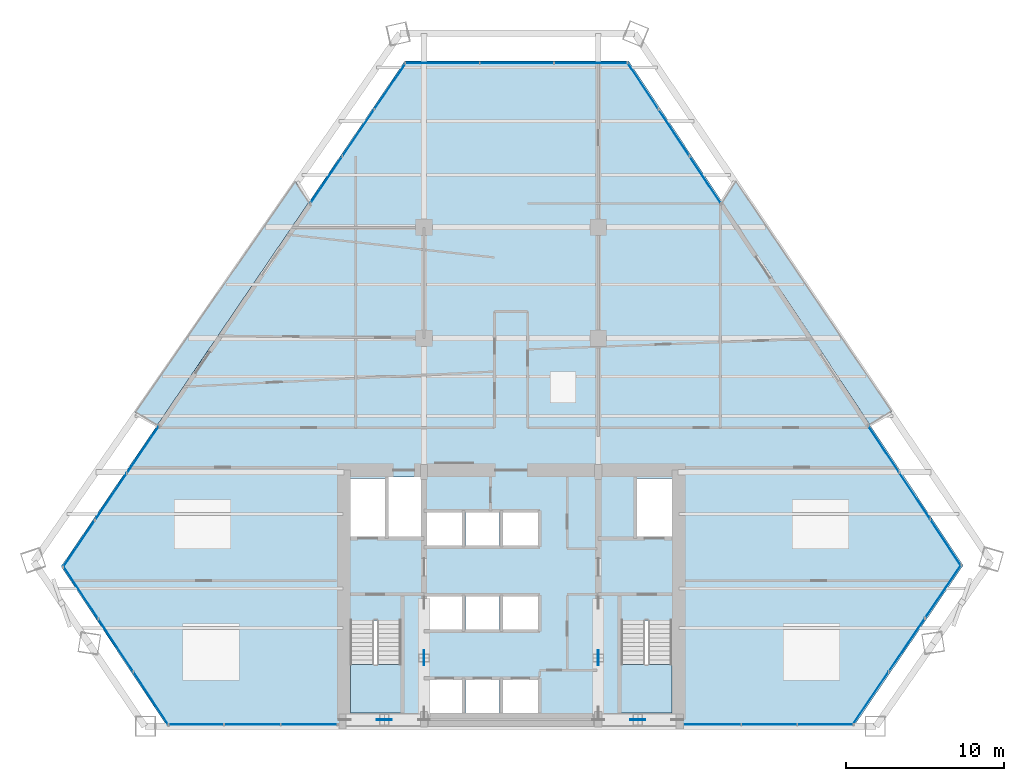
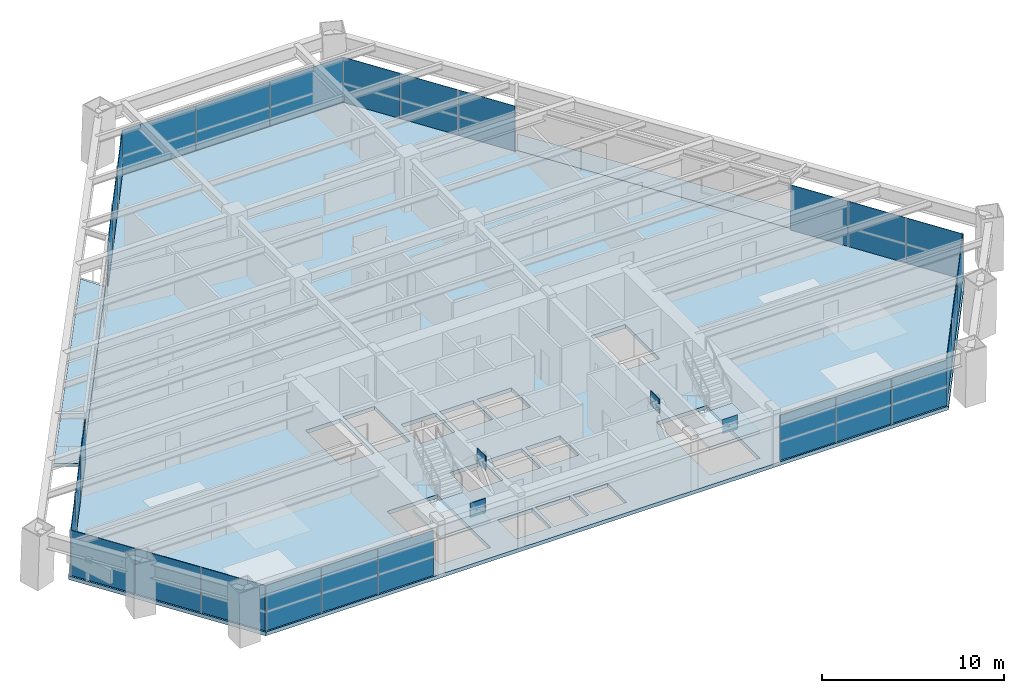
# One storey, part 9 of 14: 31 plates, 5 slabs, 11 elements without a shape of their own.
"""IFC4 building model written with IfcOpenShell, lengths in metres."""

from ifc_helpers import new_model, si_unit, direction, frame, origin, origin_2d, place, context, subcontext, project, spatial, polyline, rectangle, outline, extrude, source, transform, mapped, material, layer, layer_set, type_object, element, aggregate, save


model = new_model("IFC4")

# Units and contexts
model_context = context("Model", 3, precision=1e-05, world=origin(), true_north=direction((0.0, 1.0)))
body_context = subcontext(model_context, "Body", "Model", "MODEL_VIEW")
ifc_project = project(units=[si_unit("LENGTHUNIT", "METRE"), si_unit("AREAUNIT", "SQUARE_METRE"), si_unit("VOLUMEUNIT", "CUBIC_METRE"), si_unit("PLANEANGLEUNIT", "RADIAN"), si_unit("MASSUNIT", "GRAM", prefix="KILO")], contexts=[model_context])

# Site, building, storey
site_placement = place(None, origin())
site = spatial("IfcSite", under=ifc_project, at=site_placement, CompositionType="ELEMENT")
building_placement = place(site_placement, origin())
building = spatial("IfcBuilding", under=site, at=building_placement, Name="Varnakhor Terracotta Tower", CompositionType="ELEMENT")
storey_placement = place(building_placement, frame((0.0, 0.0, 60.800048828125)))
storey = spatial("IfcBuildingStorey", under=building, at=storey_placement, Name="L14", CompositionType="ELEMENT", Elevation=60.800048828125)

# Stair, slab
ifc_material_1 = material(Name="Concrete C40/50", Category="concrete")
stair_type = type_object("IfcStairType", Name="STR-CORE-OFFICE-1500", PredefinedType="HALF_TURN_STAIR", material=ifc_material_1)
stair_1_placement = place(storey_placement, origin())
stair_1 = element("IfcStair", 1, at=stair_1_placement, inside=storey, type_object=stair_type, Name="L14 Core Exit Stair ST-1", PredefinedType="HALF_TURN_STAIR")
ifc_layer_1 = layer(ifc_material_1, 0.179931640625, Name="Concrete C40/50")
ifc_layer_set_1 = layer_set([ifc_layer_1], Name="Concrete C40/50")
slab_type_1 = type_object("IfcSlabType", Name="SLB-LANDING-180", PredefinedType="LANDING", material=ifc_layer_set_1)
slab_1_placement = place(storey_placement, frame((0.0, 0.0, 1.64990234375)))
slab_1 = element("IfcSlab", 2, at=slab_1_placement, type_object=slab_type_1, Name="ST-1 landing 1", PredefinedType="LANDING", context=body_context, shape_type="SweptSolid", body=[
    extrude(outline(polyline([(-10.14990234375, 3.909912109375), (-10.14990234375, 0.85009765625), (-6.949951171875, 0.85009765625), (-6.949951171875, 3.909912109375), (-10.14990234375, 3.909912109375)])), origin(), (0.0, 0.0, 1.0), 0.199951171875),
])
aggregate(stair_1, [slab_1])

stair_2_placement = place(storey_placement, origin())
stair_2 = element("IfcStair", 3, at=stair_2_placement, inside=storey, type_object=stair_type, Name="L14 Core Exit Stair ST-2", PredefinedType="HALF_TURN_STAIR")
slab_2_placement = place(storey_placement, frame((0.0, 0.0, 1.64990234375)))
slab_2 = element("IfcSlab", 4, at=slab_2_placement, type_object=slab_type_1, Name="ST-2 landing 1", PredefinedType="LANDING", context=body_context, shape_type="SweptSolid", body=[
    extrude(outline(polyline([(6.949951171875, 3.909912109375), (6.949951171875, 0.85009765625), (10.14990234375, 0.85009765625), (10.14990234375, 3.909912109375), (6.949951171875, 3.909912109375)])), origin(), (0.0, 0.0, 1.0), 0.199951171875),
])
aggregate(stair_2, [slab_2])

# Slabs
ifc_layer_2 = layer(ifc_material_1, 0.195068359375, Name="Concrete C40/50")
ifc_layer_set_2 = layer_set([ifc_layer_2], Name="Concrete C40/50")
slab_type_2 = type_object("IfcSlabType", Name="SLB-LOGGIA-EXT-195", PredefinedType="FLOOR", material=ifc_layer_set_2)
slab_3_placement = place(storey_placement, frame((0.0, 0.0, -0.195068359375)))
element("IfcSlab", 5, at=slab_3_placement, inside=storey, type_object=slab_type_2, Name="L14 E Recessed Outdoor Loggia Slab", PredefinedType="FLOOR", context=body_context, shape_type="SweptSolid", body=[
    extrude(outline(polyline([(14.156005859375, 34.43359375), (24.027587890625, 19.852783203125), (22.62646484375, 19.072021484375), (19.1416015625, 24.329345703125), (13.34130859375, 33.07958984375), (14.156005859375, 34.43359375)])), origin(), (0.0, 0.0, 1.0), 0.195068359375),
])
slab_4_placement = place(storey_placement, frame((0.0, 0.0, -0.195068359375)))
element("IfcSlab", 6, at=slab_4_placement, inside=storey, type_object=slab_type_2, Name="L14 W Recessed Outdoor Loggia Slab", PredefinedType="FLOOR", context=body_context, shape_type="SweptSolid", body=[
    extrude(outline(polyline([(-23.731689453125, 19.8076171875), (-13.600341796875, 34.416015625), (-12.78515625, 33.062744140625), (-22.32861328125, 19.02880859375), (-23.731689453125, 19.8076171875)])), origin(), (0.0, 0.0, 1.0), 0.195068359375),
])
ifc_layer_3 = layer(ifc_material_1, 0.25, Name="Concrete C40/50")
ifc_layer_set_3 = layer_set([ifc_layer_3], Name="Concrete C40/50")
slab_type_3 = type_object("IfcSlabType", Name="SLB-OFF-250", PredefinedType="FLOOR", material=ifc_layer_set_3)
slab_5_placement = place(storey_placement, frame((0.0, 0.0, -0.25)))
element("IfcSlab", 7, at=slab_5_placement, inside=storey, type_object=slab_type_3, Name="L14 Structural Floor Slab", PredefinedType="FLOOR", context=body_context, shape_type="SweptSolid", body=[
    extrude(outline(polyline([(-28.40185546875, 10.097900390625), (-6.7119140625, 41.993408203125), (7.4326171875, 41.993408203125), (28.53515625, 10.158203125), (21.62744140625, 0.0), (-21.708251953125, 0.0), (-28.40185546875, 10.097900390625)]), holes=[polyline([(-3.10009765625, 0.85009765625), (-3.10009765625, 2.949951171875), (-5.300048828125, 2.949951171875), (-5.300048828125, 0.85009765625), (-3.10009765625, 0.85009765625)]), polyline([(-2.8798828125, 0.85009765625), (-0.719970703125, 0.85009765625), (-0.719970703125, 2.949951171875), (-2.8798828125, 2.949951171875), (-2.8798828125, 0.85009765625)]), polyline([(-10.14990234375, 0.85009765625), (-6.949951171875, 0.85009765625), (-6.949951171875, 6.695068359375), (-10.14990234375, 6.695068359375), (-10.14990234375, 0.85009765625)]), polyline([(-5.300048828125, 6.10009765625), (-3.10009765625, 6.10009765625), (-3.10009765625, 8.199951171875), (-5.300048828125, 8.199951171875), (-5.300048828125, 6.10009765625)]), polyline([(-5.300048828125, 11.419921875), (-3.10009765625, 11.419921875), (-3.10009765625, 13.52001953125), (-5.300048828125, 13.52001953125), (-5.300048828125, 11.419921875)]), polyline([(-10.14990234375, 11.8798828125), (-7.949951171875, 11.8798828125), (-7.949951171875, 15.64990234375), (-10.14990234375, 15.64990234375), (-10.14990234375, 11.8798828125)]), polyline([(-7.72998046875, 11.8798828125), (-5.699951171875, 11.8798828125), (-5.699951171875, 15.75), (-7.72998046875, 15.75), (-7.72998046875, 11.8798828125)]), polyline([(1.699951171875, 0.85009765625), (1.699951171875, 2.949951171875), (-0.5, 2.949951171875), (-0.5, 0.85009765625), (1.699951171875, 0.85009765625)]), polyline([(6.949951171875, 0.85009765625), (10.14990234375, 0.85009765625), (10.14990234375, 6.695068359375), (6.949951171875, 6.695068359375), (6.949951171875, 0.85009765625)]), polyline([(-2.8798828125, 6.10009765625), (-0.719970703125, 6.10009765625), (-0.719970703125, 8.199951171875), (-2.8798828125, 8.199951171875), (-2.8798828125, 6.10009765625)]), polyline([(-0.5, 6.10009765625), (1.699951171875, 6.10009765625), (1.699951171875, 8.199951171875), (-0.5, 8.199951171875), (-0.5, 6.10009765625)]), polyline([(-2.8798828125, 11.419921875), (-0.719970703125, 11.419921875), (-0.719970703125, 13.52001953125), (-2.8798828125, 13.52001953125), (-2.8798828125, 11.419921875)]), polyline([(-0.5, 11.419921875), (1.699951171875, 11.419921875), (1.699951171875, 13.52001953125), (-0.5, 13.52001953125), (-0.5, 11.419921875)]), polyline([(7.949951171875, 11.8798828125), (10.14990234375, 11.8798828125), (10.14990234375, 15.64990234375), (7.949951171875, 15.64990234375), (7.949951171875, 11.8798828125)])]), origin(), (0.0, 0.0, 1.0), 0.25),
])

# Plates
ifc_material_2 = material(Name="Steel S460", Category="steel")
ifc_layer_4 = layer(ifc_material_2, 0.050048828125, Name="Steel S460")
ifc_layer_set_4 = layer_set([ifc_layer_4], Name="Steel S460")
plate_type_1 = type_object("IfcPlateType", Name="PLT-GUSSET-50", PredefinedType="USERDEFINED", material=ifc_layer_set_4)
shared_shape_1 = source(origin(), body_context, "Body", "SweptSolid", [
    extrude(rectangle(XDim=0.949951171875, YDim=0.044921875, at=origin_2d()), origin(), (0.0, 0.0, 1.0), 0.949951171875),
])
for number, where, z_axis, x_axis, name in (
    (8, (-8.0, 0.419921875, 2.8251953125), (0.0, 0.0, 1.0), (1.0, 0.0, 0.0), "L14 Core Brace Apex Gusset CSW"),
    (9, (8.0, 0.419921875, 2.8251953125), (0.0, 0.0, 1.0), (1.0, 0.0, 0.0), "L14 Core Brace Apex Gusset CSE"),
    (10, (-5.5, 4.324951171875, 2.8251953125), (0.0, 0.0, 1.0), (0.0, 1.0, 0.0), "L14 Core Brace Apex Gusset CWW"),
    (11, (5.5, 4.324951171875, 2.8251953125), (0.0, 0.0, 1.0), (0.0, 1.0, 0.0), "L14 Core Brace Apex Gusset CWE"),
):
    element("IfcPlate", number, at=place(storey_placement, frame(where, z_axis=z_axis, x_axis=x_axis)), inside=storey, type_object=plate_type_1, Name=name, ObjectType="GUSSET PLATE", PredefinedType="USERDEFINED", context=body_context, shape_type="MappedRepresentation", body=[
        mapped(shared_shape_1, transform((0.0, 0.0, 0.0), scale=1.0)),
    ])

# Curtain wall, plates
ifc_material_3 = material(Name="Anodised Aluminium Curtain Wall System", Category="aluminium")
curtain_wall_type = type_object("IfcCurtainWallType", Name="CW-SYS-LOW-OFFICE", PredefinedType="NOTDEFINED", material=ifc_material_3)
curtain_wall_1_placement = place(storey_placement, origin())
curtain_wall_1 = element("IfcCurtainWall", 12, at=curtain_wall_1_placement, inside=storey, type_object=curtain_wall_type, Name="L14 W Facet Curtain Wall 1", PredefinedType="NOTDEFINED")
ifc_material_4 = material(Name="Solar-Control Low-E Insulated Glass Panel", Category="glass")
ifc_layer_5 = layer(ifc_material_4, 0.0380859375, Name="Solar-Control Low-E Insulated Glass Panel")
ifc_layer_set_5 = layer_set([ifc_layer_5], Name="Solar-Control Low-E Insulated Glass Panel")
plate_type_2 = type_object("IfcPlateType", Name="CWP-02", PredefinedType="CURTAIN_PANEL", material=ifc_layer_set_5)
shared_shape_2 = source(origin(), body_context, "Body", "SweptSolid", [
    extrude(rectangle(XDim=3.5400390625, YDim=0.035888671875, at=origin_2d()), origin(), (0.0, 0.0, 1.0), 3.030029296875),
])
plate_1_placement = place(storey_placement, frame((-27.279296875, 11.535400390625, 0.0), z_axis=(0.0, 0.0, 1.0), x_axis=(0.562328752854, 0.826913764376, 0.0)))
plate_1 = element("IfcPlate", 13, at=plate_1_placement, type_object=plate_type_2, Name="L14 W Facet Curtain Wall 1 Glazed Panel 1", PredefinedType="CURTAIN_PANEL", context=body_context, shape_type="MappedRepresentation", body=[
    mapped(shared_shape_2, transform((0.0, 0.0, 0.0), scale=1.0)),
])
plate_2_placement = place(storey_placement, frame((-25.26611328125, 14.495849609375, 0.0), z_axis=(0.0, 0.0, 1.0), x_axis=(0.562328752854, 0.826913764376, 0.0)))
plate_2 = element("IfcPlate", 14, at=plate_2_placement, type_object=plate_type_2, Name="L14 W Facet Curtain Wall 1 Glazed Panel 2", PredefinedType="CURTAIN_PANEL", context=body_context, shape_type="MappedRepresentation", body=[
    mapped(shared_shape_2, transform((0.0, 0.0, 0.0), scale=1.0)),
])

curtain_wall_2_placement = place(storey_placement, origin())
curtain_wall_2 = element("IfcCurtainWall", 15, at=curtain_wall_2_placement, inside=storey, type_object=curtain_wall_type, Name="L14 W Facet Curtain Wall 2", PredefinedType="NOTDEFINED")
plate_3_placement = place(storey_placement, frame((-11.662353515625, 34.500244140625, 0.0), z_axis=(0.0, 0.0, 1.0), x_axis=(0.562328752854, 0.826913764376, 0.0)))
plate_3 = element("IfcPlate", 16, at=plate_3_placement, type_object=plate_type_2, Name="L14 W Facet Curtain Wall 2 Glazed Panel 1", PredefinedType="CURTAIN_PANEL", context=body_context, shape_type="MappedRepresentation", body=[
    mapped(shared_shape_2, transform((0.0, 0.0, 0.0), scale=1.0)),
])
plate_4_placement = place(storey_placement, frame((-7.63623046875, 40.4208984375, 0.0), z_axis=(0.0, 0.0, 1.0), x_axis=(0.562328752854, 0.826913764376, 0.0)))
plate_4 = element("IfcPlate", 17, at=plate_4_placement, type_object=plate_type_2, Name="L14 W Facet Curtain Wall 2 Glazed Panel 3", PredefinedType="CURTAIN_PANEL", context=body_context, shape_type="MappedRepresentation", body=[
    mapped(shared_shape_2, transform((0.0, 0.0, 0.0), scale=1.0)),
])

# Plate
shared_shape_3 = source(origin(), body_context, "Body", "SweptSolid", [
    extrude(rectangle(XDim=3.539794921875, YDim=0.035888671875, at=origin_2d()), origin(), (0.0, 0.0, 1.0), 3.030029296875),
])
plate_5_placement = place(storey_placement, frame((-23.2529296875, 17.456298828125, 0.0), z_axis=(0.0, 0.0, 1.0), x_axis=(0.562328752854, 0.826913764376, 0.0)))
plate_5 = element("IfcPlate", 18, at=plate_5_placement, type_object=plate_type_2, Name="L14 W Facet Curtain Wall 1 Glazed Panel 3", PredefinedType="CURTAIN_PANEL", context=body_context, shape_type="MappedRepresentation", body=[
    mapped(shared_shape_3, transform((0.0, 0.0, 0.0), scale=1.0)),
])

aggregate(curtain_wall_1, [plate_1, plate_2, plate_5])

plate_6_placement = place(storey_placement, frame((-9.6494140625, 37.46044921875, 0.0), z_axis=(0.0, 0.0, 1.0), x_axis=(0.562328752854, 0.826913764376, 0.0)))
plate_6 = element("IfcPlate", 19, at=plate_6_placement, type_object=plate_type_2, Name="L14 W Facet Curtain Wall 2 Glazed Panel 2", PredefinedType="CURTAIN_PANEL", context=body_context, shape_type="MappedRepresentation", body=[
    mapped(shared_shape_3, transform((0.0, 0.0, 0.0), scale=1.0)),
])

aggregate(curtain_wall_2, [plate_3, plate_6, plate_4])

# Curtain wall, plates
curtain_wall_3_placement = place(storey_placement, origin())
curtain_wall_3 = element("IfcCurtainWall", 20, at=curtain_wall_3_placement, inside=storey, type_object=curtain_wall_type, Name="L14 Facet Curtain Wall 2", PredefinedType="NOTDEFINED")
shared_shape_4 = source(origin(), body_context, "Body", "SweptSolid", [
    extrude(rectangle(XDim=4.65478515625, YDim=0.035888671875, at=origin_2d()), origin(), (0.0, 0.0, 1.0), 3.030029296875),
])
plate_7_placement = place(storey_placement, frame((-4.334716796875, 41.873291015625, 0.0), z_axis=(0.0, 0.0, 1.0), x_axis=(1.0, 0.0, 0.0)))
plate_7 = element("IfcPlate", 21, at=plate_7_placement, type_object=plate_type_2, Name="L14 Facet Curtain Wall 2 Glazed Panel 1", PredefinedType="CURTAIN_PANEL", context=body_context, shape_type="MappedRepresentation", body=[
    mapped(shared_shape_4, transform((0.0, 0.0, 0.0), scale=1.0)),
])
plate_8_placement = place(storey_placement, frame((0.3603515625, 41.873291015625, 0.0), z_axis=(0.0, 0.0, 1.0), x_axis=(1.0, 0.0, 0.0)))
plate_8 = element("IfcPlate", 22, at=plate_8_placement, type_object=plate_type_2, Name="L14 Facet Curtain Wall 2 Glazed Panel 2", PredefinedType="CURTAIN_PANEL", context=body_context, shape_type="MappedRepresentation", body=[
    mapped(shared_shape_4, transform((0.0, 0.0, 0.0), scale=1.0)),
])
plate_9_placement = place(storey_placement, frame((5.05517578125, 41.873291015625, 0.0), z_axis=(0.0, 0.0, 1.0), x_axis=(1.0, 0.0, 0.0)))
plate_9 = element("IfcPlate", 23, at=plate_9_placement, type_object=plate_type_2, Name="L14 Facet Curtain Wall 2 Glazed Panel 3", PredefinedType="CURTAIN_PANEL", context=body_context, shape_type="MappedRepresentation", body=[
    mapped(shared_shape_4, transform((0.0, 0.0, 0.0), scale=1.0)),
])
aggregate(curtain_wall_3, [plate_7, plate_8, plate_9])

curtain_wall_4_placement = place(storey_placement, origin())
curtain_wall_4 = element("IfcCurtainWall", 24, at=curtain_wall_4_placement, inside=storey, type_object=curtain_wall_type, Name="L14 E Facet Curtain Wall 1", PredefinedType="NOTDEFINED")
shared_shape_5 = source(origin(), body_context, "Body", "SweptSolid", [
    extrude(rectangle(XDim=3.5048828125, YDim=0.035888671875, at=origin_2d()), origin(), (0.0, 0.0, 1.0), 3.030029296875),
])
plate_10_placement = place(storey_placement, frame((8.32861328125, 40.4248046875, 0.0), z_axis=(0.0, 0.0, 1.0), x_axis=(0.55250446548, -0.833509937328, 0.0)))
plate_10 = element("IfcPlate", 25, at=plate_10_placement, type_object=plate_type_2, Name="L14 E Facet Curtain Wall 1 Glazed Panel 1", PredefinedType="CURTAIN_PANEL", context=body_context, shape_type="MappedRepresentation", body=[
    mapped(shared_shape_5, transform((0.0, 0.0, 0.0), scale=1.0)),
])
plate_11_placement = place(storey_placement, frame((10.287109375, 37.47021484375, 0.0), z_axis=(0.0, 0.0, 1.0), x_axis=(0.55250446548, -0.833509937328, 0.0)))
plate_11 = element("IfcPlate", 26, at=plate_11_placement, type_object=plate_type_2, Name="L14 E Facet Curtain Wall 1 Glazed Panel 2", PredefinedType="CURTAIN_PANEL", context=body_context, shape_type="MappedRepresentation", body=[
    mapped(shared_shape_5, transform((0.0, 0.0, 0.0), scale=1.0)),
])
plate_12_placement = place(storey_placement, frame((12.245361328125, 34.515380859375, 0.0), z_axis=(0.0, 0.0, 1.0), x_axis=(0.55250446548, -0.833509937328, 0.0)))
plate_12 = element("IfcPlate", 27, at=plate_12_placement, type_object=plate_type_2, Name="L14 E Facet Curtain Wall 1 Glazed Panel 3", PredefinedType="CURTAIN_PANEL", context=body_context, shape_type="MappedRepresentation", body=[
    mapped(shared_shape_5, transform((0.0, 0.0, 0.0), scale=1.0)),
])
aggregate(curtain_wall_4, [plate_10, plate_11, plate_12])

curtain_wall_5_placement = place(storey_placement, origin())
curtain_wall_5 = element("IfcCurtainWall", 28, at=curtain_wall_5_placement, inside=storey, type_object=curtain_wall_type, Name="L14 E Facet Curtain Wall 2", PredefinedType="NOTDEFINED")
plate_13_placement = place(storey_placement, frame((23.522216796875, 17.50341796875, 0.0), z_axis=(0.0, 0.0, 1.0), x_axis=(0.55250446548, -0.833509937328, 0.0)))
plate_13 = element("IfcPlate", 29, at=plate_13_placement, type_object=plate_type_2, Name="L14 E Facet Curtain Wall 2 Glazed Panel 1", PredefinedType="CURTAIN_PANEL", context=body_context, shape_type="MappedRepresentation", body=[
    mapped(shared_shape_5, transform((0.0, 0.0, 0.0), scale=1.0)),
])
plate_14_placement = place(storey_placement, frame((25.48095703125, 14.548828125, 0.0), z_axis=(0.0, 0.0, 1.0), x_axis=(0.55250446548, -0.833509937328, 0.0)))
plate_14 = element("IfcPlate", 30, at=plate_14_placement, type_object=plate_type_2, Name="L14 E Facet Curtain Wall 2 Glazed Panel 2", PredefinedType="CURTAIN_PANEL", context=body_context, shape_type="MappedRepresentation", body=[
    mapped(shared_shape_5, transform((0.0, 0.0, 0.0), scale=1.0)),
])
plate_15_placement = place(storey_placement, frame((27.439453125, 11.593994140625, 0.0), z_axis=(0.0, 0.0, 1.0), x_axis=(0.55250446548, -0.833509937328, 0.0)))
plate_15 = element("IfcPlate", 31, at=plate_15_placement, type_object=plate_type_2, Name="L14 E Facet Curtain Wall 2 Glazed Panel 3", PredefinedType="CURTAIN_PANEL", context=body_context, shape_type="MappedRepresentation", body=[
    mapped(shared_shape_5, transform((0.0, 0.0, 0.0), scale=1.0)),
])
aggregate(curtain_wall_5, [plate_13, plate_14, plate_15])

curtain_wall_6_placement = place(storey_placement, origin())
curtain_wall_6 = element("IfcCurtainWall", 32, at=curtain_wall_6_placement, inside=storey, type_object=curtain_wall_type, Name="L14 Facet Curtain Wall 4", PredefinedType="NOTDEFINED")
shared_shape_6 = source(origin(), body_context, "Body", "SweptSolid", [
    extrude(rectangle(XDim=4.034912109375, YDim=0.035888671875, at=origin_2d()), origin(), (0.0, 0.0, 1.0), 3.030029296875),
])
plate_16_placement = place(storey_placement, frame((27.2734375, 8.51611328125, 0.0), z_axis=(0.0, 0.0, 1.0), x_axis=(-0.562328752854, -0.826913764376, 0.0)))
plate_16 = element("IfcPlate", 33, at=plate_16_placement, type_object=plate_type_2, Name="L14 Facet Curtain Wall 4 Glazed Panel 1", PredefinedType="CURTAIN_PANEL", context=body_context, shape_type="MappedRepresentation", body=[
    mapped(shared_shape_6, transform((0.0, 0.0, 0.0), scale=1.0)),
])
plate_17_placement = place(storey_placement, frame((22.690673828125, 1.777099609375, 0.0), z_axis=(0.0, 0.0, 1.0), x_axis=(-0.562328752854, -0.826913764376, 0.0)))
plate_17 = element("IfcPlate", 34, at=plate_17_placement, type_object=plate_type_2, Name="L14 Facet Curtain Wall 4 Glazed Panel 3", PredefinedType="CURTAIN_PANEL", context=body_context, shape_type="MappedRepresentation", body=[
    mapped(shared_shape_6, transform((0.0, 0.0, 0.0), scale=1.0)),
])
shared_shape_7 = source(origin(), body_context, "Body", "SweptSolid", [
    extrude(rectangle(XDim=4.03466796875, YDim=0.035888671875, at=origin_2d()), origin(), (0.0, 0.0, 1.0), 3.030029296875),
])
plate_18_placement = place(storey_placement, frame((24.982177734375, 5.146484375, 0.0), z_axis=(0.0, 0.0, 1.0), x_axis=(-0.562328752854, -0.826913764376, 0.0)))
plate_18 = element("IfcPlate", 35, at=plate_18_placement, type_object=plate_type_2, Name="L14 Facet Curtain Wall 4 Glazed Panel 2", PredefinedType="CURTAIN_PANEL", context=body_context, shape_type="MappedRepresentation", body=[
    mapped(shared_shape_7, transform((0.0, 0.0, 0.0), scale=1.0)),
])
aggregate(curtain_wall_6, [plate_16, plate_18, plate_17])

curtain_wall_7_placement = place(storey_placement, origin())
curtain_wall_7 = element("IfcCurtainWall", 36, at=curtain_wall_7_placement, inside=storey, type_object=curtain_wall_type, Name="L14 South Wing Curtain Wall SSE", PredefinedType="NOTDEFINED")
shared_shape_8 = source(origin(), body_context, "Body", "SweptSolid", [
    extrude(rectangle(XDim=3.509033203125, YDim=0.035888671875, at=origin_2d()), origin(), (0.0, 0.0, 1.0), 3.030029296875),
])
plate_19_placement = place(storey_placement, frame((19.8427734375, 0.1201171875, 0.0), z_axis=(0.0, 0.0, 1.0), x_axis=(-1.0, 0.0, 0.0)))
plate_19 = element("IfcPlate", 37, at=plate_19_placement, type_object=plate_type_2, Name="L14 South Wing Curtain Wall SSE Glazed Panel 1", PredefinedType="CURTAIN_PANEL", context=body_context, shape_type="MappedRepresentation", body=[
    mapped(shared_shape_8, transform((0.0, 0.0, 0.0), scale=1.0)),
])
plate_20_placement = place(storey_placement, frame((12.74462890625, 0.1201171875, 0.0), z_axis=(0.0, 0.0, 1.0), x_axis=(-1.0, 0.0, 0.0)))
plate_20 = element("IfcPlate", 38, at=plate_20_placement, type_object=plate_type_2, Name="L14 South Wing Curtain Wall SSE Glazed Panel 3", PredefinedType="CURTAIN_PANEL", context=body_context, shape_type="MappedRepresentation", body=[
    mapped(shared_shape_8, transform((0.0, 0.0, 0.0), scale=1.0)),
])
shared_shape_9 = source(origin(), body_context, "Body", "SweptSolid", [
    extrude(rectangle(XDim=3.50927734375, YDim=0.035888671875, at=origin_2d()), origin(), (0.0, 0.0, 1.0), 3.030029296875),
])
plate_21_placement = place(storey_placement, frame((16.293701171875, 0.1201171875, 0.0), z_axis=(0.0, 0.0, 1.0), x_axis=(-1.0, 0.0, 0.0)))
plate_21 = element("IfcPlate", 39, at=plate_21_placement, type_object=plate_type_2, Name="L14 South Wing Curtain Wall SSE Glazed Panel 2", PredefinedType="CURTAIN_PANEL", context=body_context, shape_type="MappedRepresentation", body=[
    mapped(shared_shape_9, transform((0.0, 0.0, 0.0), scale=1.0)),
])
aggregate(curtain_wall_7, [plate_19, plate_21, plate_20])

curtain_wall_8_placement = place(storey_placement, origin())
curtain_wall_8 = element("IfcCurtainWall", 40, at=curtain_wall_8_placement, inside=storey, type_object=curtain_wall_type, Name="L14 South Wing Curtain Wall SSW", PredefinedType="NOTDEFINED")
shared_shape_10 = source(origin(), body_context, "Body", "SweptSolid", [
    extrude(rectangle(XDim=3.5361328125, YDim=0.035888671875, at=origin_2d()), origin(), (0.0, 0.0, 1.0), 3.030029296875),
])
plate_22_placement = place(storey_placement, frame((-12.758056640625, 0.1201171875, 0.0), z_axis=(0.0, 0.0, 1.0), x_axis=(-1.0, 0.0, 0.0)))
plate_22 = element("IfcPlate", 41, at=plate_22_placement, type_object=plate_type_2, Name="L14 South Wing Curtain Wall SSW Glazed Panel 1", PredefinedType="CURTAIN_PANEL", context=body_context, shape_type="MappedRepresentation", body=[
    mapped(shared_shape_10, transform((0.0, 0.0, 0.0), scale=1.0)),
])
plate_23_placement = place(storey_placement, frame((-19.91015625, 0.1201171875, 0.0), z_axis=(0.0, 0.0, 1.0), x_axis=(-1.0, 0.0, 0.0)))
plate_23 = element("IfcPlate", 42, at=plate_23_placement, type_object=plate_type_2, Name="L14 South Wing Curtain Wall SSW Glazed Panel 3", PredefinedType="CURTAIN_PANEL", context=body_context, shape_type="MappedRepresentation", body=[
    mapped(shared_shape_10, transform((0.0, 0.0, 0.0), scale=1.0)),
])
shared_shape_11 = source(origin(), body_context, "Body", "SweptSolid", [
    extrude(rectangle(XDim=3.535888671875, YDim=0.035888671875, at=origin_2d()), origin(), (0.0, 0.0, 1.0), 3.030029296875),
])
plate_24_placement = place(storey_placement, frame((-16.333984375, 0.1201171875, 0.0), z_axis=(0.0, 0.0, 1.0), x_axis=(-1.0, 0.0, 0.0)))
plate_24 = element("IfcPlate", 43, at=plate_24_placement, type_object=plate_type_2, Name="L14 South Wing Curtain Wall SSW Glazed Panel 2", PredefinedType="CURTAIN_PANEL", context=body_context, shape_type="MappedRepresentation", body=[
    mapped(shared_shape_11, transform((0.0, 0.0, 0.0), scale=1.0)),
])
aggregate(curtain_wall_8, [plate_22, plate_24, plate_23])

curtain_wall_9_placement = place(storey_placement, origin())
curtain_wall_9 = element("IfcCurtainWall", 44, at=curtain_wall_9_placement, inside=storey, type_object=curtain_wall_type, Name="L14 Facet Curtain Wall 6", PredefinedType="NOTDEFINED")
shared_shape_12 = source(origin(), body_context, "Body", "SweptSolid", [
    extrude(rectangle(XDim=3.978271484375, YDim=0.035888671875, at=origin_2d()), origin(), (0.0, 0.0, 1.0), 3.030029296875),
])
plate_25_placement = place(storey_placement, frame((-22.73486328125, 1.765869140625, 0.0), z_axis=(0.0, 0.0, 1.0), x_axis=(-0.55250446548, 0.833509937328, 0.0)))
plate_25 = element("IfcPlate", 45, at=plate_25_placement, type_object=plate_type_2, Name="L14 Facet Curtain Wall 6 Glazed Panel 1", PredefinedType="CURTAIN_PANEL", context=body_context, shape_type="MappedRepresentation", body=[
    mapped(shared_shape_12, transform((0.0, 0.0, 0.0), scale=1.0)),
])
plate_26_placement = place(storey_placement, frame((-27.17529296875, 8.464599609375, 0.0), z_axis=(0.0, 0.0, 1.0), x_axis=(-0.55250446548, 0.833509937328, 0.0)))
plate_26 = element("IfcPlate", 46, at=plate_26_placement, type_object=plate_type_2, Name="L14 Facet Curtain Wall 6 Glazed Panel 3", PredefinedType="CURTAIN_PANEL", context=body_context, shape_type="MappedRepresentation", body=[
    mapped(shared_shape_12, transform((0.0, 0.0, 0.0), scale=1.0)),
])
shared_shape_13 = source(origin(), body_context, "Body", "SweptSolid", [
    extrude(rectangle(XDim=3.978515625, YDim=0.035888671875, at=origin_2d()), origin(), (0.0, 0.0, 1.0), 3.030029296875),
])
plate_27_placement = place(storey_placement, frame((-24.955078125, 5.115234375, 0.0), z_axis=(0.0, 0.0, 1.0), x_axis=(-0.55250446548, 0.833509937328, 0.0)))
plate_27 = element("IfcPlate", 47, at=plate_27_placement, type_object=plate_type_2, Name="L14 Facet Curtain Wall 6 Glazed Panel 2", PredefinedType="CURTAIN_PANEL", context=body_context, shape_type="MappedRepresentation", body=[
    mapped(shared_shape_13, transform((0.0, 0.0, 0.0), scale=1.0)),
])
aggregate(curtain_wall_9, [plate_25, plate_27, plate_26])

save(model, "model.ifc")
